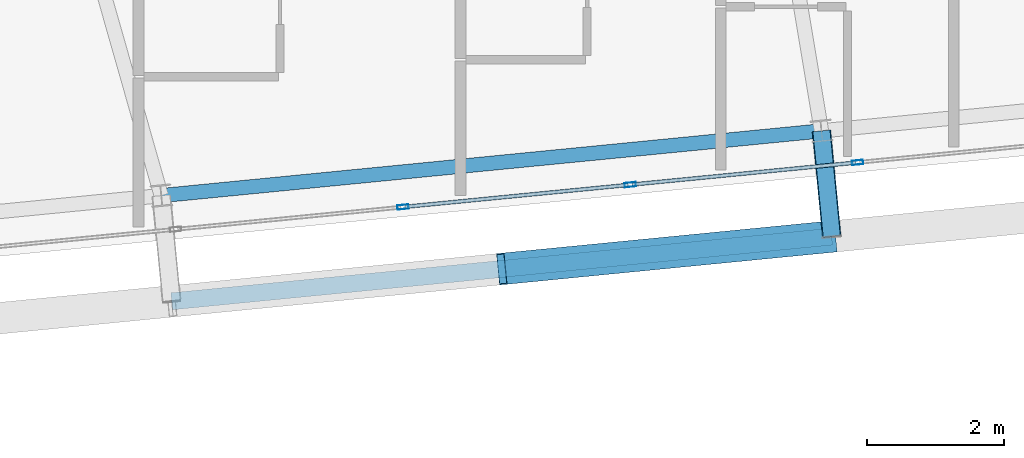
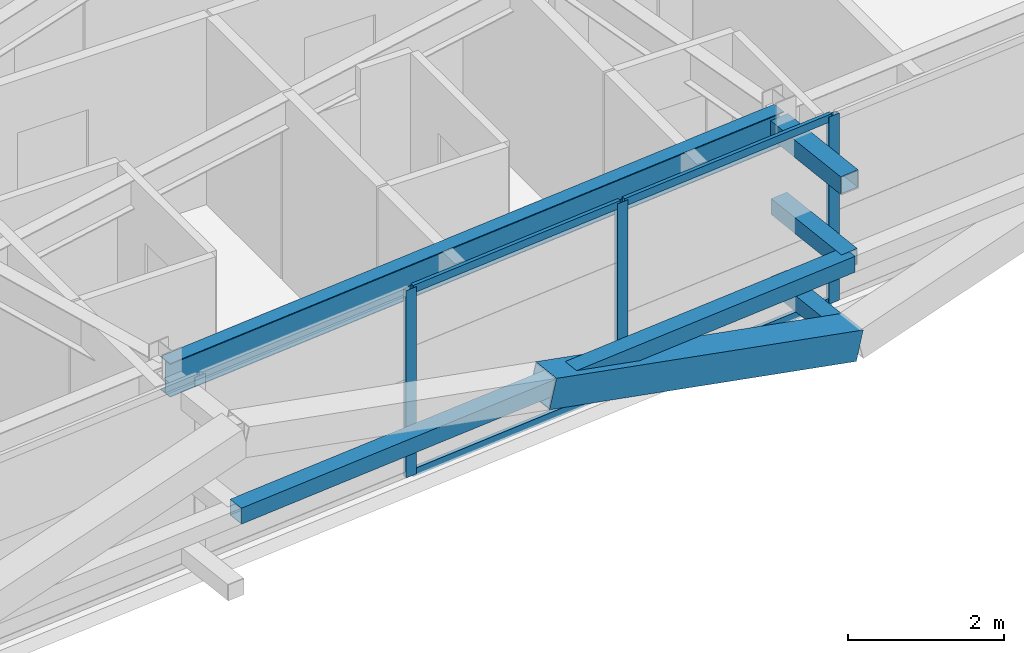
# One storey, part 18 of 54: 12 members, 1 beam, 1 element without a shape of its own.
"""IFC4 building model written with IfcOpenShell, lengths in metres."""

from ifc_helpers import new_model, si_unit, direction, frame, origin, origin_2d, place, context, subcontext, project, spatial, hollow_rectangle, i_section, extrude, source, transform, mapped, material, layer, layer_set, material_profile, profile_set, type_object, element, aggregate, save


model = new_model("IFC4")

# Units and contexts
model_context = context("Model", 3, precision=1e-05, world=origin(), true_north=direction((0.0, 1.0)))
body_context = subcontext(model_context, "Body", "Model", "MODEL_VIEW")
ifc_project = project(units=[si_unit("LENGTHUNIT", "METRE"), si_unit("AREAUNIT", "SQUARE_METRE"), si_unit("VOLUMEUNIT", "CUBIC_METRE"), si_unit("PLANEANGLEUNIT", "RADIAN"), si_unit("MASSUNIT", "GRAM", prefix="KILO")], contexts=[model_context])

# Site, building, storey
site_placement = place(None, origin())
site = spatial("IfcSite", under=ifc_project, at=site_placement, CompositionType="ELEMENT")
building_placement = place(site_placement, origin())
building = spatial("IfcBuilding", under=site, at=building_placement, Name="Taldren Reach Tower", CompositionType="ELEMENT")
storey_placement = place(building_placement, frame((0.0, 0.0, 99.75)))
storey = spatial("IfcBuildingStorey", under=building, at=storey_placement, Name="L30", CompositionType="ELEMENT", Elevation=99.75)

# Members
ifc_material_1 = material(Name="Steel Gr 450 (C450L0)", Category="steel")
ifc_material_profile_1 = material_profile(ifc_material_1, hollow_rectangle(XDim=0.27490234375, YDim=0.27490234375, WallThickness=0.00927734375, at=origin_2d()), Name="275x275x9.3SHS")
ifc_profile_set_1 = profile_set([ifc_material_profile_1], Name="Steel Gr 450 (C450L0)")
member_type_1 = type_object("IfcMemberType", Name="MB-TIE273", PredefinedType="STRUT", material=ifc_profile_set_1)
shared_shape_1 = source(origin(), body_context, "Body", "SweptSolid", [
    extrude(hollow_rectangle(XDim=0.27490234375, YDim=0.27490234375, WallThickness=0.00927734375, at=origin_2d()), origin(), (0.0, 0.0, 1.0), 1.5498046875),
])
member_1_placement = place(storey_placement, frame((53.469482421875, 3.698486328125, 2.64990234375), z_axis=(0.097507178627, -0.995234821595, 0.0), x_axis=(0.995234821595, 0.097507178627, 0.0)))
element("IfcMember", 1, at=member_1_placement, inside=storey, type_object=member_type_1, Name="Exoskeleton diaphragm tie strut B2-S5 L30", PredefinedType="STRUT", context=body_context, shape_type="MappedRepresentation", body=[
    mapped(shared_shape_1, transform((0.0, 0.0, 0.0), scale=1.0)),
])
ifc_material_2 = material(Name="Steel Gr 350 (C350L0)", Category="steel")
ifc_material_profile_2 = material_profile(ifc_material_2, hollow_rectangle(XDim=0.25, YDim=0.25, WallThickness=0.010009765625, at=origin_2d()), Name="250x250x10.0SHS")
ifc_profile_set_2 = profile_set([ifc_material_profile_2], Name="Steel Gr 350 (C350L0)")
member_type_2 = type_object("IfcMemberType", Name="MB-POST250", PredefinedType="POST", material=ifc_profile_set_2)
shared_shape_2 = source(origin(), body_context, "Body", "SweptSolid", [
    extrude(hollow_rectangle(XDim=0.25, YDim=0.25, WallThickness=0.010009765625, at=origin_2d()), origin(), (0.0, 0.0, 1.0), 1.5498046875),
])
for number, where, z_axis, x_axis, name in (
    (2, (53.469482421875, 3.698486328125, 0.219970703125), (0.097507178627, -0.995234821595, 0.0), (0.995234821595, 0.097507178627, 0.0), "Exoskeleton base diaphragm tie strut B2-S5 L30"),
    (3, (53.469482421875, 3.698486328125, 1.43505859375), (0.097507178627, -0.995234821595, 0.0), (0.995234821595, 0.097507178627, 0.0), "Exoskeleton mid-tier diaphragm tie B2-S5 L30"),
):
    element("IfcMember", number, at=place(storey_placement, frame(where, z_axis=z_axis, x_axis=x_axis)), inside=storey, type_object=member_type_2, Name=name, PredefinedType="POST", context=body_context, shape_type="MappedRepresentation", body=[
        mapped(shared_shape_2, transform((0.0, 0.0, 0.0), scale=1.0)),
    ])

# Beam
ifc_material_3 = material(Name="Steel Gr 350 (350PLUS)", Category="steel")
ifc_material_profile_3 = material_profile(ifc_material_3, i_section(OverallWidth=0.208984375, OverallDepth=0.528076171875, WebThickness=0.009521484375, FlangeThickness=0.01318359375, at=origin_2d()), Name="530UB82.0")
ifc_profile_set_3 = profile_set([ifc_material_profile_3], Name="Steel Gr 350 (350PLUS)")
beam_type = type_object("IfcBeamType", Name="SP-UB530B", PredefinedType="SPANDREL", material=ifc_profile_set_3)
shared_shape_3 = source(origin(), body_context, "Body", "SweptSolid", [
    extrude(i_section(OverallWidth=0.208984375, OverallDepth=0.528076171875, WebThickness=0.009521484375, FlangeThickness=0.01318359375, at=origin_2d()), origin(), (0.0, 0.0, 1.0), 9.68017578125),
])
beam_placement = place(storey_placement, frame((43.83544921875, 2.75390625, 2.666015625), z_axis=(0.995227852805, 0.097578281404, 0.0), x_axis=(-0.097578281404, 0.995227852805, 0.0)))
element("IfcBeam", 4, at=beam_placement, inside=storey, type_object=beam_type, Name="Perimeter spandrel B2 S4-S5 L30", PredefinedType="SPANDREL", context=body_context, shape_type="MappedRepresentation", body=[
    mapped(shared_shape_3, transform((0.0, 0.0, 0.0), scale=1.0)),
])

# Members
ifc_material_profile_4 = material_profile(ifc_material_1, hollow_rectangle(XDim=0.4599609375, YDim=0.4599609375, WallThickness=0.01611328125, at=origin_2d()), Name="460x460x16.0SHS")
ifc_profile_set_4 = profile_set([ifc_material_profile_4], Name="Steel Gr 450 (C450L0)")
member_type_3 = type_object("IfcMemberType", Name="MB-EXO457", PredefinedType="BRACE", material=ifc_profile_set_4)
shared_shape_4 = source(origin(), body_context, "Body", "SweptSolid", [
    extrude(hollow_rectangle(XDim=0.4599609375, YDim=0.4599609375, WallThickness=0.01611328125, at=origin_2d()), origin(), (0.0, 0.0, 1.0), 4.990234375),
])
member_2_placement = place(storey_placement, frame((53.62060546875, 2.156005859375, 0.219970703125), z_axis=(-0.965271056716, -0.094667992638, 0.243494883389), x_axis=(0.097605711627, -0.995225162995, 0.0)))
element("IfcMember", 5, at=member_2_placement, inside=storey, type_object=member_type_3, Name="Exoskeleton Diagrid Brace B2-S4 L30", PredefinedType="BRACE", context=body_context, shape_type="MappedRepresentation", body=[
    mapped(shared_shape_4, transform((0.0, 0.0, 0.0), scale=1.0)),
])
shared_shape_5 = source(origin(), body_context, "Body", "SweptSolid", [
    extrude(hollow_rectangle(XDim=0.25, YDim=0.25, WallThickness=0.010009765625, at=origin_2d()), origin(), (0.0, 0.0, 1.0), 9.679931640625),
])
member_3_placement = place(storey_placement, frame((43.98681640625, 1.21142578125, 1.43505859375), z_axis=(0.995227612658, 0.097580730699, 0.0), x_axis=(-0.097580730699, 0.995227612658, 0.0)))
element("IfcMember", 6, at=member_3_placement, inside=storey, type_object=member_type_2, Name="Exoskeleton mid-height ring chord B2-S4 L30", PredefinedType="POST", context=body_context, shape_type="MappedRepresentation", body=[
    mapped(shared_shape_5, transform((0.0, 0.0, 0.0), scale=1.0)),
])

# Curtain wall, members
ifc_material_4 = material(Name="Aluminium and Low-E Glass Unitised System", Category="aluminium")
ifc_layer = layer(ifc_material_4, 0.159912109375)
ifc_layer_set = layer_set([ifc_layer], Name="Aluminium and Low-E Glass Unitised System")
curtain_wall_type = type_object("IfcCurtainWallType", Name="CW-SYS-3", PredefinedType="NOTDEFINED", material=ifc_layer_set)
curtain_wall_placement = place(storey_placement, origin())
curtain_wall = element("IfcCurtainWall", 7, at=curtain_wall_placement, inside=storey, type_object=curtain_wall_type, Name="Unitised curtain wall CW-L30-S", PredefinedType="NOTDEFINED")
ifc_material_5 = material(Name="Anodised Aluminium 6063-T6", Category="aluminium")
ifc_material_profile_5 = material_profile(ifc_material_5, hollow_rectangle(XDim=0.06494140625, YDim=0.1650390625, WallThickness=0.00390625, at=origin_2d()), Name="ALU-165x65x4RHS")
ifc_profile_set_5 = profile_set([ifc_material_profile_5], Name="Anodised Aluminium 6063-T6")
member_type_4 = type_object("IfcMemberType", Name="CW-MUL-165", PredefinedType="MULLION", material=ifc_profile_set_5)
shared_shape_6 = source(origin(), body_context, "Body", "SweptSolid", [
    extrude(hollow_rectangle(XDim=0.06494140625, YDim=0.1650390625, WallThickness=0.00390625, at=origin_2d()), origin(), (0.0, 0.0, 1.0), 2.929931640625),
])
member_4_placement = place(storey_placement, frame((47.362060546875, 2.587158203125, 0.0), z_axis=(0.0, 0.0, 1.0), x_axis=(-0.097582999046, 0.995227390247, 0.0)))
member_4 = element("IfcMember", 8, at=member_4_placement, type_object=member_type_4, Name="CW-3 mullion 11", PredefinedType="MULLION", context=body_context, shape_type="MappedRepresentation", body=[
    mapped(shared_shape_6, transform((0.0, 0.0, 0.0), scale=1.0)),
])
member_5_placement = place(storey_placement, frame((50.679443359375, 2.91259765625, 0.0), z_axis=(0.0, 0.0, 1.0), x_axis=(-0.097582999046, 0.995227390247, 0.0)))
member_5 = element("IfcMember", 9, at=member_5_placement, type_object=member_type_4, Name="CW-3 mullion 12", PredefinedType="MULLION", context=body_context, shape_type="MappedRepresentation", body=[
    mapped(shared_shape_6, transform((0.0, 0.0, 0.0), scale=1.0)),
])
member_6_placement = place(storey_placement, frame((53.996826171875, 3.23779296875, 0.0), z_axis=(0.0, 0.0, 1.0), x_axis=(-0.097582999046, 0.995227390247, 0.0)))
member_6 = element("IfcMember", 10, at=member_6_placement, type_object=member_type_4, Name="CW-3 mullion 13", PredefinedType="MULLION", context=body_context, shape_type="MappedRepresentation", body=[
    mapped(shared_shape_6, transform((0.0, 0.0, 0.0), scale=1.0)),
])
ifc_material_profile_6 = material_profile(ifc_material_5, hollow_rectangle(XDim=0.054931640625, YDim=0.1201171875, WallThickness=0.0029296875, at=origin_2d()), Name="ALU-120x55x3RHS")
ifc_profile_set_6 = profile_set([ifc_material_profile_6], Name="Anodised Aluminium 6063-T6")
member_type_5 = type_object("IfcMemberType", Name="CW-TRN-135", PredefinedType="USERDEFINED", material=ifc_profile_set_6)
shared_shape_7 = source(origin(), body_context, "Body", "SweptSolid", [
    extrude(hollow_rectangle(XDim=0.054931640625, YDim=0.1201171875, WallThickness=0.0029296875, at=origin_2d()), origin(), (0.0, 0.0, 1.0), 3.268310546875),
])
member_7_placement = place(storey_placement, frame((47.394287109375, 2.59033203125, 0.027587890625), z_axis=(0.995222549564, 0.097632355496, 0.0), x_axis=(-0.097632355496, 0.995222549564, 0.0)))
member_7 = element("IfcMember", 11, at=member_7_placement, type_object=member_type_5, Name="CW-3 transom 11.1", ObjectType="TRANSOM", PredefinedType="USERDEFINED", context=body_context, shape_type="MappedRepresentation", body=[
    mapped(shared_shape_7, transform((0.0, 0.0, 0.0), scale=1.0)),
])
member_8_placement = place(storey_placement, frame((47.394287109375, 2.59033203125, 2.902587890625), z_axis=(0.995222549564, 0.097632355496, 0.0), x_axis=(-0.097632355496, 0.995222549564, 0.0)))
member_8 = element("IfcMember", 12, at=member_8_placement, type_object=member_type_5, Name="CW-3 transom 11.2", ObjectType="TRANSOM", PredefinedType="USERDEFINED", context=body_context, shape_type="MappedRepresentation", body=[
    mapped(shared_shape_7, transform((0.0, 0.0, 0.0), scale=1.0)),
])
shared_shape_8 = source(origin(), body_context, "Body", "SweptSolid", [
    extrude(hollow_rectangle(XDim=0.054931640625, YDim=0.1201171875, WallThickness=0.0029296875, at=origin_2d()), origin(), (0.0, 0.0, 1.0), 3.2685546875),
])
member_9_placement = place(storey_placement, frame((50.711669921875, 2.915771484375, 0.027587890625), z_axis=(0.99523051601, 0.097551114824, 0.0), x_axis=(-0.097551114824, 0.99523051601, 0.0)))
member_9 = element("IfcMember", 13, at=member_9_placement, type_object=member_type_5, Name="CW-3 transom 12.1", ObjectType="TRANSOM", PredefinedType="USERDEFINED", context=body_context, shape_type="MappedRepresentation", body=[
    mapped(shared_shape_8, transform((0.0, 0.0, 0.0), scale=1.0)),
])
member_10_placement = place(storey_placement, frame((50.711669921875, 2.915771484375, 2.902587890625), z_axis=(0.99523051601, 0.097551114824, 0.0), x_axis=(-0.097551114824, 0.99523051601, 0.0)))
member_10 = element("IfcMember", 14, at=member_10_placement, type_object=member_type_5, Name="CW-3 transom 12.2", ObjectType="TRANSOM", PredefinedType="USERDEFINED", context=body_context, shape_type="MappedRepresentation", body=[
    mapped(shared_shape_8, transform((0.0, 0.0, 0.0), scale=1.0)),
])
aggregate(curtain_wall, [member_4, member_5, member_6, member_7, member_8, member_9, member_10])

save(model, "model.ifc")
